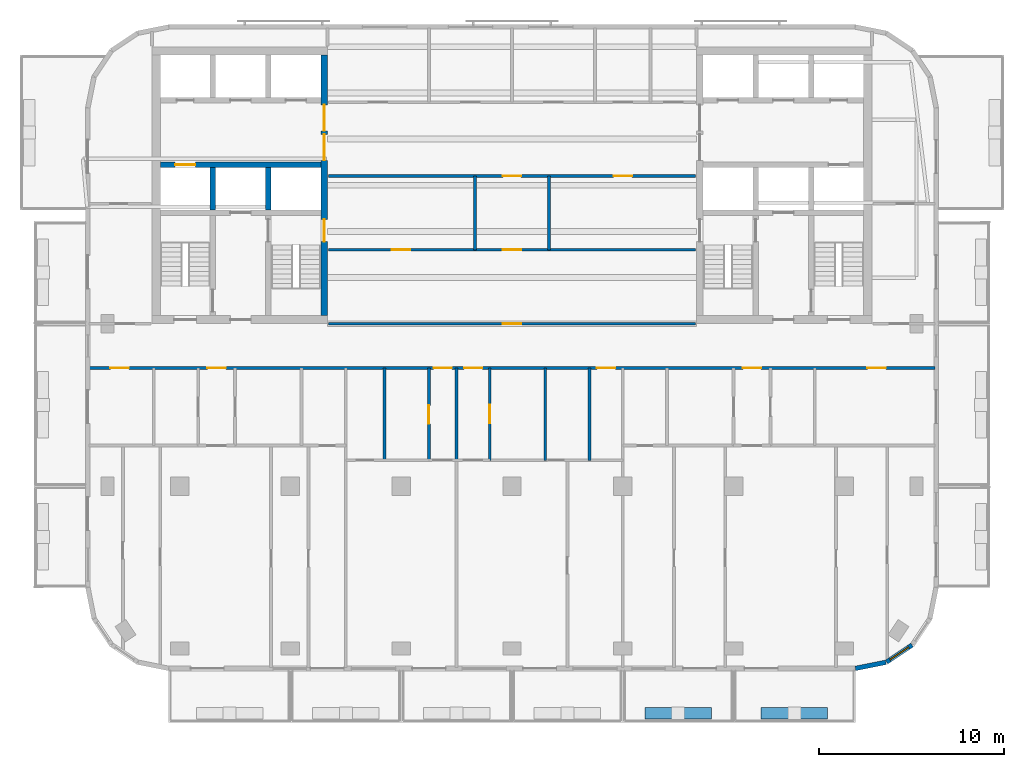
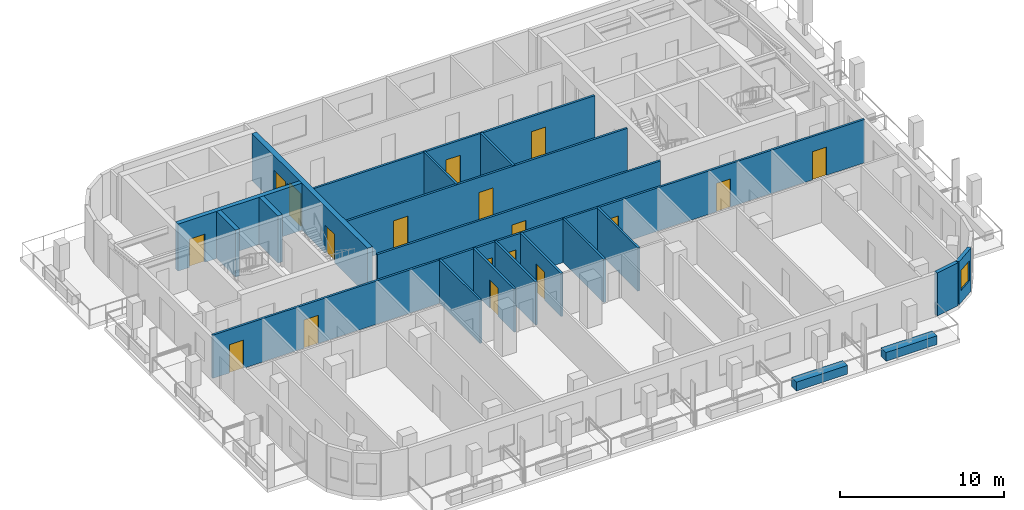
# One storey, part 4 of 11: 20 walls, 18 doors, 1 window, 19 openings.
"""IFC4 building model written with IfcOpenShell, lengths in metres."""

from ifc_helpers import new_model, si_unit, direction, frame, frame_2d, origin, place, context, subcontext, project, spatial, rectangle, extrude, material, layer, layer_set, type_object, element, fill, save


model = new_model("IFC4")

# Units and contexts
model_context = context("Model", 3, precision=1e-05, world=origin(), true_north=direction((0.0, 1.0)))
body_context = subcontext(model_context, "Body", "Model", "MODEL_VIEW")
ifc_project = project(units=[si_unit("LENGTHUNIT", "METRE"), si_unit("AREAUNIT", "SQUARE_METRE"), si_unit("VOLUMEUNIT", "CUBIC_METRE"), si_unit("PLANEANGLEUNIT", "RADIAN"), si_unit("MASSUNIT", "GRAM", prefix="KILO")], contexts=[model_context])

# Site, building, storey
site_placement = place(None, origin())
site = spatial("IfcSite", under=ifc_project, at=site_placement, CompositionType="ELEMENT")
building_placement = place(site_placement, origin())
building = spatial("IfcBuilding", under=site, at=building_placement, Name="Torana Hotel and Residences", CompositionType="ELEMENT")
storey_placement = place(building_placement, frame((0.0, 0.0, 305.10009765625)))
storey = spatial("IfcBuildingStorey", under=building, at=storey_placement, Name="L81", CompositionType="ELEMENT", Elevation=305.10009765625)

# Wall, opening, door
ifc_material_1 = material(Name="Concrete C60/75", Category="concrete")
ifc_layer_1 = layer(ifc_material_1, 0.300048828125)
ifc_layer_set_1 = layer_set([ifc_layer_1], Name="CORE WALL 300 C60/75")
wall_type_1 = type_object("IfcWallType", Name="CORE WALL 300 C60/75", PredefinedType="SHEAR", material=ifc_layer_set_1)
wall_1_placement = place(storey_placement, frame((-19.050048828125, -6.39990234375, 0.0), z_axis=(0.0, 0.0, 1.0), x_axis=(1.0, 0.0, 0.0)))
wall_1 = element("IfcWall", 1, at=wall_1_placement, inside=storey, type_object=wall_type_1, Name="Core wall W row-S", PredefinedType="SHEAR", context=body_context, shape_type="SweptSolid", body=[
    extrude(rectangle(XDim=8.699951171875, YDim=0.300048828125, at=frame_2d((4.35009765625, 0.0))), origin(), (0.0, 0.0, 1.0), 3.5),
])
opening_1_placement = place(wall_1_placement, frame((0.800048828125, 0.0, 0.0)))
opening_1 = element("IfcOpeningElement", 2, at=opening_1_placement, cuts=wall_1, Name="Opening LD", PredefinedType="OPENING", context=body_context, shape_type="SweptSolid", body=[
    extrude(rectangle(XDim=1.10009765625, YDim=2.10009765625, at=frame_2d((0.550048828125, 1.050048828125))), frame((0.0, 0.159912109375, 0.0), z_axis=(0.0, -1.0, 0.0), x_axis=(1.0, 0.0, 0.0)), (0.0, 0.0, 1.0), 0.320068359375),
])
ifc_material_2 = material(Name="Stainless steel 316", Category="steel")
door_type_1 = type_object("IfcDoorType", Name="LIFT LANDING DOOR LD 1100x2100", OperationType="DOUBLE_DOOR_SLIDING", PredefinedType="USERDEFINED", material=ifc_material_2)
door_1_placement = place(opening_1_placement, origin())
door_1 = element("IfcDoor", 3, at=door_1_placement, inside=storey, type_object=door_type_1, Name="Lift landing door SV1 L81", ObjectType="LIFT LANDING DOOR", OperationType="DOUBLE_DOOR_SLIDING", OverallHeight=2.10009765625, OverallWidth=1.10009765625, PredefinedType="USERDEFINED", context=body_context, shape_type="SweptSolid", body=[
    extrude(rectangle(XDim=1.10009765625, YDim=2.10009765625, at=frame_2d((0.550048828125, 1.050048828125))), frame((0.0, 0.02490234375, 0.0), z_axis=(0.0, -1.0, 0.0), x_axis=(1.0, 0.0, 0.0)), (0.0, 0.0, 1.0), 0.050048828125),
])
fill(opening_1, door_1)

# Walls
for number, where, z_axis, x_axis, name in (
    (4, (-13.199951171875, -8.85009765625, 0.0), (0.0, 0.0, 1.0), (0.0, 1.0, 0.0), "Core wall W x3.05-S"),
    (5, (-16.199951171875, -8.85009765625, 0.0), (0.0, 0.0, 1.0), (0.0, 1.0, 0.0), "Core wall W x6.05-S"),
):
    element("IfcWall", number, at=place(storey_placement, frame(where, z_axis=z_axis, x_axis=x_axis)), inside=storey, type_object=wall_type_1, Name=name, PredefinedType="SHEAR", context=body_context, shape_type="SweptSolid", body=[
        extrude(rectangle(XDim=2.300048828125, YDim=0.300048828125, at=frame_2d((1.14990234375, 0.0))), origin(), (0.0, 0.0, 1.0), 3.5),
    ])

# Wall, openings, doors
ifc_material_3 = material(Name="Concrete C60/75", Category="concrete")
ifc_layer_2 = layer(ifc_material_3, 0.35009765625)
ifc_layer_set_2 = layer_set([ifc_layer_2], Name="CORE WALL 350 C60/75")
wall_type_2 = type_object("IfcWallType", Name="CORE WALL 350 C60/75", PredefinedType="SHEAR", material=ifc_layer_set_2)
wall_2_placement = place(storey_placement, frame((-10.175048828125, -14.550048828125, 0.0), z_axis=(0.0, 0.0, 1.0), x_axis=(0.0, 1.0, 0.0)))
wall_2 = element("IfcWall", 6, at=wall_2_placement, inside=storey, type_object=wall_type_2, Name="Core wall W arch", PredefinedType="SHEAR", context=body_context, shape_type="SweptSolid", body=[
    extrude(rectangle(XDim=14.10009765625, YDim=0.35009765625, at=frame_2d((7.050048828125, 0.0))), origin(), (0.0, 0.0, 1.0), 3.5),
])
opening_2_placement = place(wall_2_placement, frame((8.39990234375, 0.0, 0.0)))
opening_2 = element("IfcOpeningElement", 7, at=opening_2_placement, cuts=wall_2, Name="Opening L81-01", PredefinedType="OPENING", context=body_context, shape_type="SweptSolid", body=[
    extrude(rectangle(XDim=1.39990234375, YDim=2.39990234375, at=frame_2d((0.699951171875, 1.199951171875))), frame((0.0, 0.18505859375, 0.0), z_axis=(0.0, -1.0, 0.0), x_axis=(1.0, 0.0, 0.0)), (0.0, 0.0, 1.0), 0.3701171875),
])
opening_3_placement = place(wall_2_placement, frame((10.0, 0.0, 0.0)))
opening_3 = element("IfcOpeningElement", 8, at=opening_3_placement, cuts=wall_2, Name="Opening L81-02", PredefinedType="OPENING", context=body_context, shape_type="SweptSolid", body=[
    extrude(rectangle(XDim=1.39990234375, YDim=2.39990234375, at=frame_2d((0.699951171875, 1.199951171875))), frame((0.0, 0.18505859375, 0.0), z_axis=(0.0, -1.0, 0.0), x_axis=(1.0, 0.0, 0.0)), (0.0, 0.0, 1.0), 0.3701171875),
])
opening_4_placement = place(wall_2_placement, frame((4.0, 0.0, 0.0)))
opening_4 = element("IfcOpeningElement", 9, at=opening_4_placement, cuts=wall_2, Name="Opening L81-03", PredefinedType="OPENING", context=body_context, shape_type="SweptSolid", body=[
    extrude(rectangle(XDim=1.199951171875, YDim=2.10009765625, at=frame_2d((0.60009765625, 1.050048828125))), frame((0.0, 0.18505859375, 0.0), z_axis=(0.0, -1.0, 0.0), x_axis=(1.0, 0.0, 0.0)), (0.0, 0.0, 1.0), 0.3701171875),
])
ifc_material_4 = material(Name="Steel S235", Category="steel")
door_type_2 = type_object("IfcDoorType", Name="LOBBY FIRE DOOR D4 1400x2400", OperationType="DOUBLE_DOOR_SINGLE_SWING", PredefinedType="DOOR", material=ifc_material_4)
door_2_placement = place(opening_2_placement, origin())
door_2 = element("IfcDoor", 10, at=door_2_placement, inside=storey, type_object=door_type_2, Name="Lobby-1 door L81", OperationType="DOUBLE_DOOR_SINGLE_SWING", OverallHeight=2.39990234375, OverallWidth=1.39990234375, PredefinedType="DOOR", context=body_context, shape_type="SweptSolid", body=[
    extrude(rectangle(XDim=1.39990234375, YDim=2.39990234375, at=frame_2d((0.699951171875, 1.199951171875))), frame((0.0, 0.02490234375, 0.0), z_axis=(0.0, -1.0, 0.0), x_axis=(1.0, 0.0, 0.0)), (0.0, 0.0, 1.0), 0.050048828125),
])
fill(opening_2, door_2)
door_3_placement = place(opening_3_placement, origin())
door_3 = element("IfcDoor", 11, at=door_3_placement, inside=storey, type_object=door_type_2, Name="Lobby-2 door L81", OperationType="DOUBLE_DOOR_SINGLE_SWING", OverallHeight=2.39990234375, OverallWidth=1.39990234375, PredefinedType="DOOR", context=body_context, shape_type="SweptSolid", body=[
    extrude(rectangle(XDim=1.39990234375, YDim=2.39990234375, at=frame_2d((0.699951171875, 1.199951171875))), frame((0.0, 0.02490234375, 0.0), z_axis=(0.0, -1.0, 0.0), x_axis=(1.0, 0.0, 0.0)), (0.0, 0.0, 1.0), 0.050048828125),
])
fill(opening_3, door_3)
ifc_material_5 = material(Name="Steel S235", Category="steel")
door_type_3 = type_object("IfcDoorType", Name="STAIR FIRE DOOR D3 1200x2100", OperationType="SINGLE_SWING_LEFT", PredefinedType="DOOR", material=ifc_material_5)
door_4_placement = place(opening_4_placement, origin())
door_4 = element("IfcDoor", 12, at=door_4_placement, inside=storey, type_object=door_type_3, Name="Stair-A door L81", OperationType="SINGLE_SWING_LEFT", OverallHeight=2.10009765625, OverallWidth=1.199951171875, PredefinedType="DOOR", context=body_context, shape_type="SweptSolid", body=[
    extrude(rectangle(XDim=1.199951171875, YDim=2.10009765625, at=frame_2d((0.60009765625, 1.050048828125))), frame((0.0, 0.02490234375, 0.0), z_axis=(0.0, -1.0, 0.0), x_axis=(1.0, 0.0, 0.0)), (0.0, 0.0, 1.0), 0.050048828125),
])
fill(opening_4, door_4)

# Wall
ifc_material_6 = material(Name="Black aluminium composite panel", Category="aluminium")
ifc_layer_3 = layer(ifc_material_6, 0.00390625, Name="Cladding", Category="cladding")
ifc_material_7 = material(Name="Ventilated air cavity")
ifc_layer_4 = layer(ifc_material_7, 0.0400390625, Name="Ventilated cavity", Category="cavity")
ifc_material_8 = material(Name="Mineral wool insulation")
ifc_layer_5 = layer(ifc_material_8, 0.090087890625, Name="Insulation", Category="insulation")
ifc_material_9 = material(Name="Steel S280GD", Category="steel")
ifc_layer_6 = layer(ifc_material_9, 0.092041015625, Name="Steel stud frame", Category="structure")
ifc_material_10 = material(Name="Fire rated plasterboard")
ifc_layer_7 = layer(ifc_material_10, 0.011962890625, Name="Inner board", Category="finish")
ifc_layer_8 = layer(ifc_material_10, 0.011962890625, Name="Second board", Category="finish")
ifc_layer_set_3 = layer_set([ifc_layer_3, ifc_layer_4, ifc_layer_5, ifc_layer_6, ifc_layer_7, ifc_layer_8], Name="EW1 EXTERNAL WALL BLACK METAL CLAD 250")
wall_type_3 = type_object("IfcWallType", Name="EW1 EXTERNAL WALL BLACK METAL CLAD 250", PredefinedType="SOLIDWALL", material=ifc_layer_set_3)
wall_3_placement = place(storey_placement, frame((18.599853515625, -33.672607421875, 0.0), z_axis=(0.0, 0.0, 1.0), x_axis=(0.980770110232, 0.195166572128, 0.0)))
element("IfcWall", 13, at=wall_3_placement, inside=storey, type_object=wall_type_3, Name="External wall L81 e0.15", PredefinedType="SOLIDWALL", context=body_context, shape_type="SweptSolid", body=[
    extrude(rectangle(XDim=1.68115234375, YDim=0.25, at=frame_2d((0.840576171875, 0.0))), origin(), (0.0, 0.0, 1.0), 3.199951171875),
])

# Wall, opening, window
wall_4_placement = place(storey_placement, frame((20.2939453125, -33.325927734375, 0.0), z_axis=(0.0, 0.0, 1.0), x_axis=(0.831482937015, 0.55555029066, 0.0)))
wall_4 = element("IfcWall", 14, at=wall_4_placement, inside=storey, type_object=wall_type_3, Name="External wall L81 e0.16", PredefinedType="SOLIDWALL", context=body_context, shape_type="SweptSolid", body=[
    extrude(rectangle(XDim=1.65625, YDim=0.25, at=frame_2d((0.828125, 0.0))), origin(), (0.0, 0.0, 1.0), 3.199951171875),
])
opening_5_placement = place(wall_4_placement, frame((0.228271484375, 0.0, 0.89990234375)))
opening_5 = element("IfcOpeningElement", 15, at=opening_5_placement, cuts=wall_4, Name="Opening W5", PredefinedType="OPENING", context=body_context, shape_type="SweptSolid", body=[
    extrude(rectangle(XDim=1.199951171875, YDim=1.5, at=frame_2d((0.60009765625, 0.75))), frame((0.0, 0.135009765625, 0.0), z_axis=(0.0, -1.0, 0.0), x_axis=(1.0, 0.0, 0.0)), (0.0, 0.0, 1.0), 0.27001953125),
])
ifc_material_11 = material(Name="Dark glass in black aluminium frame", Category="aluminium")
window_type = type_object("IfcWindowType", Name="W5 CORNER FACET WINDOW 1200x1500", PartitioningType="SINGLE_PANEL", PredefinedType="WINDOW", material=ifc_material_11)
window_placement = place(opening_5_placement, origin())
window = element("IfcWindow", 16, at=window_placement, inside=storey, type_object=window_type, Name="Window L81 e0.16", OverallHeight=1.5, OverallWidth=1.199951171875, PartitioningType="SINGLE_PANEL", PredefinedType="WINDOW", context=body_context, shape_type="SweptSolid", body=[
    extrude(rectangle(XDim=1.199951171875, YDim=1.5, at=frame_2d((0.60009765625, 0.75))), frame((0.0, 0.030029296875, 0.0), z_axis=(0.0, -1.0, 0.0), x_axis=(1.0, 0.0, 0.0)), (0.0, 0.0, 1.0), 0.06005859375),
])
fill(opening_5, window)

# Wall
ifc_material_12 = material(Name="Gypsum plaster")
ifc_layer_9 = layer(ifc_material_12, 0.014892578125, Name="Plaster", Category="finish")
ifc_material_13 = material(Name="Concrete blockwork", Category="masonry")
ifc_layer_10 = layer(ifc_material_13, 0.1201171875, Name="Blockwork", Category="structure")
ifc_layer_11 = layer(ifc_material_12, 0.014892578125, Name="Plaster", Category="finish")
ifc_layer_set_4 = layer_set([ifc_layer_9, ifc_layer_10, ifc_layer_11], Name="FIRE PARTITION 150 BLOCKWORK")
wall_type_4 = type_object("IfcWallType", Name="FIRE PARTITION 150 BLOCKWORK", PredefinedType="PARTITIONING", material=ifc_layer_set_4)
wall_5_placement = place(storey_placement, frame((2.0, -11.0, 0.0), z_axis=(0.0, 0.0, 1.0), x_axis=(0.0, 1.0, 0.0)))
element("IfcWall", 17, at=wall_5_placement, inside=storey, type_object=wall_type_4, Name="Partition L81", PredefinedType="PARTITIONING", context=body_context, shape_type="SweptSolid", body=[
    extrude(rectangle(XDim=4.0, YDim=0.14990234375, at=frame_2d((2.0, 0.0))), origin(), (0.0, 0.0, 1.0), 3.219970703125),
])

# Wall, opening, door
wall_6_placement = place(storey_placement, frame((-1.199951171875, -22.39990234375, 0.0), z_axis=(0.0, 0.0, 1.0), x_axis=(0.0, 1.0, 0.0)))
wall_6 = element("IfcWall", 18, at=wall_6_placement, inside=storey, type_object=wall_type_4, Name="Partition L81", PredefinedType="PARTITIONING", context=body_context, shape_type="SweptSolid", body=[
    extrude(rectangle(XDim=5.0, YDim=0.14990234375, at=frame_2d((2.5, 0.0))), origin(), (0.0, 0.0, 1.0), 3.219970703125),
])
opening_6_placement = place(wall_6_placement, frame((2.02001953125, 0.0, 0.0)))
opening_6 = element("IfcOpeningElement", 19, at=opening_6_placement, cuts=wall_6, Name="Opening L81-39", PredefinedType="OPENING", context=body_context, shape_type="SweptSolid", body=[
    extrude(rectangle(XDim=1.0, YDim=2.10009765625, at=frame_2d((0.5, 1.050048828125))), frame((0.0, 0.0849609375, 0.0), z_axis=(0.0, -1.0, 0.0), x_axis=(1.0, 0.0, 0.0)), (0.0, 0.0, 1.0), 0.169921875),
])
ifc_material_14 = material(Name="Steel S235", Category="steel")
door_type_4 = type_object("IfcDoorType", Name="ENTRY FIRE DOOR D6 1000x2100", OperationType="SINGLE_SWING_LEFT", PredefinedType="DOOR", material=ifc_material_14)
door_5_placement = place(opening_6_placement, frame((0.5, 0.0, 0.0), z_axis=(0.0, 0.0, 1.0), x_axis=(-1.0, 0.0, 0.0)))
door_5 = element("IfcDoor", 20, at=door_5_placement, inside=storey, type_object=door_type_4, Name="Door L81", OperationType="SINGLE_SWING_LEFT", OverallHeight=2.10009765625, OverallWidth=1.0, PredefinedType="DOOR", context=body_context, shape_type="SweptSolid", body=[
    extrude(rectangle(XDim=1.0, YDim=2.10009765625, at=frame_2d((0.0, 1.050048828125))), frame((0.0, -0.02490234375, 0.0), z_axis=(0.0, 1.0, 0.0), x_axis=(-1.0, 0.0, 0.0)), (0.0, 0.0, 1.0), 0.050048828125),
])
fill(opening_6, door_5)

# Walls
wall_7_placement = place(storey_placement, frame((-2.0, -11.0, 0.0), z_axis=(0.0, 0.0, 1.0), x_axis=(0.0, 1.0, 0.0)))
element("IfcWall", 21, at=wall_7_placement, inside=storey, type_object=wall_type_4, Name="Partition L81", PredefinedType="PARTITIONING", context=body_context, shape_type="SweptSolid", body=[
    extrude(rectangle(XDim=4.0, YDim=0.14990234375, at=frame_2d((2.0, 0.0))), origin(), (0.0, 0.0, 1.0), 3.219970703125),
])
wall_8_placement = place(storey_placement, frame((-3.0, -22.39990234375, 0.0), z_axis=(0.0, 0.0, 1.0), x_axis=(0.0, 1.0, 0.0)))
element("IfcWall", 22, at=wall_8_placement, inside=storey, type_object=wall_type_4, Name="Partition L81", PredefinedType="PARTITIONING", context=body_context, shape_type="SweptSolid", body=[
    extrude(rectangle(XDim=5.0, YDim=0.14990234375, at=frame_2d((2.5, 0.0))), origin(), (0.0, 0.0, 1.0), 3.219970703125),
])

# Wall, opening, door
wall_9_placement = place(storey_placement, frame((-4.5, -22.39990234375, 0.0), z_axis=(0.0, 0.0, 1.0), x_axis=(0.0, 1.0, 0.0)))
wall_9 = element("IfcWall", 23, at=wall_9_placement, inside=storey, type_object=wall_type_4, Name="Partition L81", PredefinedType="PARTITIONING", context=body_context, shape_type="SweptSolid", body=[
    extrude(rectangle(XDim=5.0, YDim=0.14990234375, at=frame_2d((2.5, 0.0))), origin(), (0.0, 0.0, 1.0), 3.219970703125),
])
opening_7_placement = place(wall_9_placement, frame((1.97998046875, 0.0, 0.0)))
opening_7 = element("IfcOpeningElement", 24, at=opening_7_placement, cuts=wall_9, Name="Opening L81-37", PredefinedType="OPENING", context=body_context, shape_type="SweptSolid", body=[
    extrude(rectangle(XDim=1.0, YDim=2.10009765625, at=frame_2d((0.5, 1.050048828125))), frame((0.0, 0.0849609375, 0.0), z_axis=(0.0, -1.0, 0.0), x_axis=(1.0, 0.0, 0.0)), (0.0, 0.0, 1.0), 0.169921875),
])
door_6_placement = place(opening_7_placement, origin())
door_6 = element("IfcDoor", 25, at=door_6_placement, inside=storey, type_object=door_type_4, Name="Door L81", OperationType="SINGLE_SWING_RIGHT", OverallHeight=2.10009765625, OverallWidth=1.0, PredefinedType="DOOR", context=body_context, shape_type="SweptSolid", body=[
    extrude(rectangle(XDim=1.0, YDim=2.10009765625, at=frame_2d((0.5, 1.050048828125))), frame((0.0, 0.02490234375, 0.0), z_axis=(0.0, -1.0, 0.0), x_axis=(1.0, 0.0, 0.0)), (0.0, 0.0, 1.0), 0.050048828125),
])
fill(opening_7, door_6)

# Wall, openings, doors
wall_10_placement = place(storey_placement, frame((-22.919921875, -17.39990234375, 0.0), z_axis=(0.0, 0.0, 1.0), x_axis=(1.0, 0.0, 0.0)))
wall_10 = element("IfcWall", 26, at=wall_10_placement, inside=storey, type_object=wall_type_4, Name="Partition L81", PredefinedType="PARTITIONING", context=body_context, shape_type="SweptSolid", body=[
    extrude(rectangle(XDim=45.83984375, YDim=0.14990234375, at=frame_2d((22.919921875, 0.0))), origin(), (0.0, 0.0, 1.0), 3.219970703125),
])
opening_8_placement = place(wall_10_placement, frame((18.669921875, 0.0, 0.0)))
opening_8 = element("IfcOpeningElement", 27, at=opening_8_placement, cuts=wall_10, Name="Opening L81-18", PredefinedType="OPENING", context=body_context, shape_type="SweptSolid", body=[
    extrude(rectangle(XDim=1.0, YDim=2.10009765625, at=frame_2d((0.5, 1.050048828125))), frame((0.0, 0.0849609375, 0.0), z_axis=(0.0, -1.0, 0.0), x_axis=(1.0, 0.0, 0.0)), (0.0, 0.0, 1.0), 0.169921875),
])
opening_9_placement = place(wall_10_placement, frame((20.320068359375, 0.0, 0.0)))
opening_9 = element("IfcOpeningElement", 28, at=opening_9_placement, cuts=wall_10, Name="Opening L81-19", PredefinedType="OPENING", context=body_context, shape_type="SweptSolid", body=[
    extrude(rectangle(XDim=1.0, YDim=2.10009765625, at=frame_2d((0.5, 1.050048828125))), frame((0.0, 0.0849609375, 0.0), z_axis=(0.0, -1.0, 0.0), x_axis=(1.0, 0.0, 0.0)), (0.0, 0.0, 1.0), 0.169921875),
])
opening_10_placement = place(wall_10_placement, frame((27.52001953125, 0.0, 0.0)))
opening_10 = element("IfcOpeningElement", 29, at=opening_10_placement, cuts=wall_10, Name="Opening L81-20", PredefinedType="OPENING", context=body_context, shape_type="SweptSolid", body=[
    extrude(rectangle(XDim=1.0, YDim=2.10009765625, at=frame_2d((0.5, 1.050048828125))), frame((0.0, 0.0849609375, 0.0), z_axis=(0.0, -1.0, 0.0), x_axis=(1.0, 0.0, 0.0)), (0.0, 0.0, 1.0), 0.169921875),
])
opening_11_placement = place(wall_10_placement, frame((6.419921875, 0.0, 0.0)))
opening_11 = element("IfcOpeningElement", 30, at=opening_11_placement, cuts=wall_10, Name="Opening L81-21", PredefinedType="OPENING", context=body_context, shape_type="SweptSolid", body=[
    extrude(rectangle(XDim=1.0, YDim=2.10009765625, at=frame_2d((0.5, 1.050048828125))), frame((0.0, 0.0849609375, 0.0), z_axis=(0.0, -1.0, 0.0), x_axis=(1.0, 0.0, 0.0)), (0.0, 0.0, 1.0), 0.169921875),
])
opening_12_placement = place(wall_10_placement, frame((1.169921875, 0.0, 0.0)))
opening_12 = element("IfcOpeningElement", 31, at=opening_12_placement, cuts=wall_10, Name="Opening L81-22", PredefinedType="OPENING", context=body_context, shape_type="SweptSolid", body=[
    extrude(rectangle(XDim=1.0, YDim=2.10009765625, at=frame_2d((0.5, 1.050048828125))), frame((0.0, 0.0849609375, 0.0), z_axis=(0.0, -1.0, 0.0), x_axis=(1.0, 0.0, 0.0)), (0.0, 0.0, 1.0), 0.169921875),
])
opening_13_placement = place(wall_10_placement, frame((35.419921875, 0.0, 0.0)))
opening_13 = element("IfcOpeningElement", 32, at=opening_13_placement, cuts=wall_10, Name="Opening L81-23", PredefinedType="OPENING", context=body_context, shape_type="SweptSolid", body=[
    extrude(rectangle(XDim=1.0, YDim=2.10009765625, at=frame_2d((0.5, 1.050048828125))), frame((0.0, 0.0849609375, 0.0), z_axis=(0.0, -1.0, 0.0), x_axis=(1.0, 0.0, 0.0)), (0.0, 0.0, 1.0), 0.169921875),
])
opening_14_placement = place(wall_10_placement, frame((42.169921875, 0.0, 0.0)))
opening_14 = element("IfcOpeningElement", 33, at=opening_14_placement, cuts=wall_10, Name="Opening L81-24", PredefinedType="OPENING", context=body_context, shape_type="SweptSolid", body=[
    extrude(rectangle(XDim=1.0, YDim=2.10009765625, at=frame_2d((0.5, 1.050048828125))), frame((0.0, 0.0849609375, 0.0), z_axis=(0.0, -1.0, 0.0), x_axis=(1.0, 0.0, 0.0)), (0.0, 0.0, 1.0), 0.169921875),
])
door_7_placement = place(opening_8_placement, origin())
door_7 = element("IfcDoor", 34, at=door_7_placement, inside=storey, type_object=door_type_4, Name="Door L81", OperationType="SINGLE_SWING_RIGHT", OverallHeight=2.10009765625, OverallWidth=1.0, PredefinedType="DOOR", context=body_context, shape_type="SweptSolid", body=[
    extrude(rectangle(XDim=1.0, YDim=2.10009765625, at=frame_2d((0.5, 1.050048828125))), frame((0.0, 0.02490234375, 0.0), z_axis=(0.0, -1.0, 0.0), x_axis=(1.0, 0.0, 0.0)), (0.0, 0.0, 1.0), 0.050048828125),
])
fill(opening_8, door_7)
door_8_placement = place(opening_9_placement, origin())
door_8 = element("IfcDoor", 35, at=door_8_placement, inside=storey, type_object=door_type_4, Name="Door L81", OperationType="SINGLE_SWING_RIGHT", OverallHeight=2.10009765625, OverallWidth=1.0, PredefinedType="DOOR", context=body_context, shape_type="SweptSolid", body=[
    extrude(rectangle(XDim=1.0, YDim=2.10009765625, at=frame_2d((0.5, 1.050048828125))), frame((0.0, 0.02490234375, 0.0), z_axis=(0.0, -1.0, 0.0), x_axis=(1.0, 0.0, 0.0)), (0.0, 0.0, 1.0), 0.050048828125),
])
fill(opening_9, door_8)
door_9_placement = place(opening_10_placement, frame((0.5, 0.0, 0.0), z_axis=(0.0, 0.0, 1.0), x_axis=(-1.0, 0.0, 0.0)))
door_9 = element("IfcDoor", 36, at=door_9_placement, inside=storey, type_object=door_type_4, Name="Door L81", OperationType="SINGLE_SWING_LEFT", OverallHeight=2.10009765625, OverallWidth=1.0, PredefinedType="DOOR", context=body_context, shape_type="SweptSolid", body=[
    extrude(rectangle(XDim=1.0, YDim=2.10009765625, at=frame_2d((0.0, 1.050048828125))), frame((0.0, -0.02490234375, 0.0), z_axis=(0.0, 1.0, 0.0), x_axis=(-1.0, 0.0, 0.0)), (0.0, 0.0, 1.0), 0.050048828125),
])
fill(opening_10, door_9)
door_10_placement = place(opening_11_placement, origin())
door_10 = element("IfcDoor", 37, at=door_10_placement, inside=storey, type_object=door_type_4, Name="Door L81", OperationType="SINGLE_SWING_RIGHT", OverallHeight=2.10009765625, OverallWidth=1.0, PredefinedType="DOOR", context=body_context, shape_type="SweptSolid", body=[
    extrude(rectangle(XDim=1.0, YDim=2.10009765625, at=frame_2d((0.5, 1.050048828125))), frame((0.0, 0.02490234375, 0.0), z_axis=(0.0, -1.0, 0.0), x_axis=(1.0, 0.0, 0.0)), (0.0, 0.0, 1.0), 0.050048828125),
])
fill(opening_11, door_10)
door_11_placement = place(opening_12_placement, frame((0.5, 0.0, 0.0), z_axis=(0.0, 0.0, 1.0), x_axis=(-1.0, 0.0, 0.0)))
door_11 = element("IfcDoor", 38, at=door_11_placement, inside=storey, type_object=door_type_4, Name="Door L81", OperationType="SINGLE_SWING_LEFT", OverallHeight=2.10009765625, OverallWidth=1.0, PredefinedType="DOOR", context=body_context, shape_type="SweptSolid", body=[
    extrude(rectangle(XDim=1.0, YDim=2.10009765625, at=frame_2d((0.0, 1.050048828125))), frame((0.0, -0.02490234375, 0.0), z_axis=(0.0, 1.0, 0.0), x_axis=(-1.0, 0.0, 0.0)), (0.0, 0.0, 1.0), 0.050048828125),
])
fill(opening_12, door_11)
door_12_placement = place(opening_13_placement, origin())
door_12 = element("IfcDoor", 39, at=door_12_placement, inside=storey, type_object=door_type_4, Name="Door L81", OperationType="SINGLE_SWING_RIGHT", OverallHeight=2.10009765625, OverallWidth=1.0, PredefinedType="DOOR", context=body_context, shape_type="SweptSolid", body=[
    extrude(rectangle(XDim=1.0, YDim=2.10009765625, at=frame_2d((0.5, 1.050048828125))), frame((0.0, 0.02490234375, 0.0), z_axis=(0.0, -1.0, 0.0), x_axis=(1.0, 0.0, 0.0)), (0.0, 0.0, 1.0), 0.050048828125),
])
fill(opening_13, door_12)
door_13_placement = place(opening_14_placement, frame((0.5, 0.0, 0.0), z_axis=(0.0, 0.0, 1.0), x_axis=(-1.0, 0.0, 0.0)))
door_13 = element("IfcDoor", 40, at=door_13_placement, inside=storey, type_object=door_type_4, Name="Door L81", OperationType="SINGLE_SWING_LEFT", OverallHeight=2.10009765625, OverallWidth=1.0, PredefinedType="DOOR", context=body_context, shape_type="SweptSolid", body=[
    extrude(rectangle(XDim=1.0, YDim=2.10009765625, at=frame_2d((0.0, 1.050048828125))), frame((0.0, -0.02490234375, 0.0), z_axis=(0.0, 1.0, 0.0), x_axis=(-1.0, 0.0, 0.0)), (0.0, 0.0, 1.0), 0.050048828125),
])
fill(opening_14, door_13)

# Wall, opening, door
wall_11_placement = place(storey_placement, frame((-9.949951171875, -15.0, 0.0), z_axis=(0.0, 0.0, 1.0), x_axis=(1.0, 0.0, 0.0)))
wall_11 = element("IfcWall", 41, at=wall_11_placement, inside=storey, type_object=wall_type_4, Name="Partition L81", PredefinedType="PARTITIONING", context=body_context, shape_type="SweptSolid", body=[
    extrude(rectangle(XDim=19.89990234375, YDim=0.14990234375, at=frame_2d((9.949951171875, 0.0))), origin(), (0.0, 0.0, 1.0), 3.219970703125),
])
opening_15_placement = place(wall_11_placement, frame((9.449951171875, 0.0, 0.0)))
opening_15 = element("IfcOpeningElement", 42, at=opening_15_placement, cuts=wall_11, Name="Opening L81-17", PredefinedType="OPENING", context=body_context, shape_type="SweptSolid", body=[
    extrude(rectangle(XDim=1.0, YDim=2.10009765625, at=frame_2d((0.5, 1.050048828125))), frame((0.0, 0.0849609375, 0.0), z_axis=(0.0, -1.0, 0.0), x_axis=(1.0, 0.0, 0.0)), (0.0, 0.0, 1.0), 0.169921875),
])
door_14_placement = place(opening_15_placement, origin())
door_14 = element("IfcDoor", 43, at=door_14_placement, inside=storey, type_object=door_type_4, Name="Door L81", OperationType="SINGLE_SWING_RIGHT", OverallHeight=2.10009765625, OverallWidth=1.0, PredefinedType="DOOR", context=body_context, shape_type="SweptSolid", body=[
    extrude(rectangle(XDim=1.0, YDim=2.10009765625, at=frame_2d((0.5, 1.050048828125))), frame((0.0, 0.02490234375, 0.0), z_axis=(0.0, -1.0, 0.0), x_axis=(1.0, 0.0, 0.0)), (0.0, 0.0, 1.0), 0.050048828125),
])
fill(opening_15, door_14)

# Wall, openings, doors
wall_12_placement = place(storey_placement, frame((-9.949951171875, -11.0, 0.0), z_axis=(0.0, 0.0, 1.0), x_axis=(1.0, 0.0, 0.0)))
wall_12 = element("IfcWall", 44, at=wall_12_placement, inside=storey, type_object=wall_type_4, Name="Partition L81", PredefinedType="PARTITIONING", context=body_context, shape_type="SweptSolid", body=[
    extrude(rectangle(XDim=19.89990234375, YDim=0.14990234375, at=frame_2d((9.949951171875, 0.0))), origin(), (0.0, 0.0, 1.0), 3.219970703125),
])
opening_16_placement = place(wall_12_placement, frame((9.449951171875, 0.0, 0.0)))
opening_16 = element("IfcOpeningElement", 45, at=opening_16_placement, cuts=wall_12, Name="Opening L81-27", PredefinedType="OPENING", context=body_context, shape_type="SweptSolid", body=[
    extrude(rectangle(XDim=1.0, YDim=2.10009765625, at=frame_2d((0.5, 1.050048828125))), frame((0.0, 0.0849609375, 0.0), z_axis=(0.0, -1.0, 0.0), x_axis=(1.0, 0.0, 0.0)), (0.0, 0.0, 1.0), 0.169921875),
])
opening_17_placement = place(wall_12_placement, frame((3.449951171875, 0.0, 0.0)))
opening_17 = element("IfcOpeningElement", 46, at=opening_17_placement, cuts=wall_12, Name="Opening L81-28", PredefinedType="OPENING", context=body_context, shape_type="SweptSolid", body=[
    extrude(rectangle(XDim=1.0, YDim=2.10009765625, at=frame_2d((0.5, 1.050048828125))), frame((0.0, 0.0849609375, 0.0), z_axis=(0.0, -1.0, 0.0), x_axis=(1.0, 0.0, 0.0)), (0.0, 0.0, 1.0), 0.169921875),
])
door_15_placement = place(opening_16_placement, origin())
door_15 = element("IfcDoor", 47, at=door_15_placement, inside=storey, type_object=door_type_4, Name="Door L81", OperationType="SINGLE_SWING_RIGHT", OverallHeight=2.10009765625, OverallWidth=1.0, PredefinedType="DOOR", context=body_context, shape_type="SweptSolid", body=[
    extrude(rectangle(XDim=1.0, YDim=2.10009765625, at=frame_2d((0.5, 1.050048828125))), frame((0.0, 0.02490234375, 0.0), z_axis=(0.0, -1.0, 0.0), x_axis=(1.0, 0.0, 0.0)), (0.0, 0.0, 1.0), 0.050048828125),
])
fill(opening_16, door_15)
door_16_placement = place(opening_17_placement, origin())
door_16 = element("IfcDoor", 48, at=door_16_placement, inside=storey, type_object=door_type_4, Name="Door L81", OperationType="SINGLE_SWING_RIGHT", OverallHeight=2.10009765625, OverallWidth=1.0, PredefinedType="DOOR", context=body_context, shape_type="SweptSolid", body=[
    extrude(rectangle(XDim=1.0, YDim=2.10009765625, at=frame_2d((0.5, 1.050048828125))), frame((0.0, 0.02490234375, 0.0), z_axis=(0.0, -1.0, 0.0), x_axis=(1.0, 0.0, 0.0)), (0.0, 0.0, 1.0), 0.050048828125),
])
fill(opening_17, door_16)

wall_13_placement = place(storey_placement, frame((-9.949951171875, -7.0, 0.0), z_axis=(0.0, 0.0, 1.0), x_axis=(1.0, 0.0, 0.0)))
wall_13 = element("IfcWall", 49, at=wall_13_placement, inside=storey, type_object=wall_type_4, Name="Partition L81", PredefinedType="PARTITIONING", context=body_context, shape_type="SweptSolid", body=[
    extrude(rectangle(XDim=19.89990234375, YDim=0.14990234375, at=frame_2d((9.949951171875, 0.0))), origin(), (0.0, 0.0, 1.0), 3.219970703125),
])
opening_18_placement = place(wall_13_placement, frame((9.449951171875, 0.0, 0.0)))
opening_18 = element("IfcOpeningElement", 50, at=opening_18_placement, cuts=wall_13, Name="Opening L81-29", PredefinedType="OPENING", context=body_context, shape_type="SweptSolid", body=[
    extrude(rectangle(XDim=1.0, YDim=2.10009765625, at=frame_2d((0.5, 1.050048828125))), frame((0.0, 0.0849609375, 0.0), z_axis=(0.0, -1.0, 0.0), x_axis=(1.0, 0.0, 0.0)), (0.0, 0.0, 1.0), 0.169921875),
])
opening_19_placement = place(wall_13_placement, frame((15.449951171875, 0.0, 0.0)))
opening_19 = element("IfcOpeningElement", 51, at=opening_19_placement, cuts=wall_13, Name="Opening L81-30", PredefinedType="OPENING", context=body_context, shape_type="SweptSolid", body=[
    extrude(rectangle(XDim=1.0, YDim=2.10009765625, at=frame_2d((0.5, 1.050048828125))), frame((0.0, 0.0849609375, 0.0), z_axis=(0.0, -1.0, 0.0), x_axis=(1.0, 0.0, 0.0)), (0.0, 0.0, 1.0), 0.169921875),
])
door_17_placement = place(opening_18_placement, origin())
door_17 = element("IfcDoor", 52, at=door_17_placement, inside=storey, type_object=door_type_4, Name="Door L81", OperationType="SINGLE_SWING_RIGHT", OverallHeight=2.10009765625, OverallWidth=1.0, PredefinedType="DOOR", context=body_context, shape_type="SweptSolid", body=[
    extrude(rectangle(XDim=1.0, YDim=2.10009765625, at=frame_2d((0.5, 1.050048828125))), frame((0.0, 0.02490234375, 0.0), z_axis=(0.0, -1.0, 0.0), x_axis=(1.0, 0.0, 0.0)), (0.0, 0.0, 1.0), 0.050048828125),
])
fill(opening_18, door_17)
door_18_placement = place(opening_19_placement, frame((0.5, 0.0, 0.0), z_axis=(0.0, 0.0, 1.0), x_axis=(-1.0, 0.0, 0.0)))
door_18 = element("IfcDoor", 53, at=door_18_placement, inside=storey, type_object=door_type_4, Name="Door L81", OperationType="SINGLE_SWING_LEFT", OverallHeight=2.10009765625, OverallWidth=1.0, PredefinedType="DOOR", context=body_context, shape_type="SweptSolid", body=[
    extrude(rectangle(XDim=1.0, YDim=2.10009765625, at=frame_2d((0.0, 1.050048828125))), frame((0.0, -0.02490234375, 0.0), z_axis=(0.0, 1.0, 0.0), x_axis=(-1.0, 0.0, 0.0)), (0.0, 0.0, 1.0), 0.050048828125),
])
fill(opening_19, door_18)

# Walls
ifc_material_15 = material(Name="Gypsum plasterboard")
ifc_layer_12 = layer(ifc_material_15, 0.012451171875, Name="Plasterboard", Category="finish")
ifc_layer_13 = layer(ifc_material_15, 0.012451171875, Name="Plasterboard", Category="finish")
ifc_layer_14 = layer(ifc_material_9, 0.10009765625, Name="Steel studs with mineral wool", Category="insulation")
ifc_layer_15 = layer(ifc_material_15, 0.012451171875, Name="Plasterboard", Category="finish")
ifc_layer_16 = layer(ifc_material_15, 0.012451171875, Name="Plasterboard", Category="finish")
ifc_layer_set_5 = layer_set([ifc_layer_12, ifc_layer_13, ifc_layer_14, ifc_layer_15, ifc_layer_16], Name="PARTITION 150 PLASTERBOARD")
wall_type_5 = type_object("IfcWallType", Name="PARTITION 150 PLASTERBOARD", PredefinedType="PARTITIONING", material=ifc_layer_set_5)
for number, where, z_axis, x_axis, name in (
    (54, (4.199951171875, -22.39990234375, 0.0), (0.0, 0.0, 1.0), (0.0, 1.0, 0.0), "Partition L81"),
    (55, (1.800048828125, -22.39990234375, 0.0), (0.0, 0.0, 1.0), (0.0, 1.0, 0.0), "Partition L81"),
    (56, (-6.89990234375, -22.39990234375, 0.0), (0.0, 0.0, 1.0), (0.0, 1.0, 0.0), "Partition L81"),
):
    element("IfcWall", number, at=place(storey_placement, frame(where, z_axis=z_axis, x_axis=x_axis)), inside=storey, type_object=wall_type_5, Name=name, PredefinedType="PARTITIONING", context=body_context, shape_type="SweptSolid", body=[
        extrude(rectangle(XDim=5.0, YDim=0.14990234375, at=frame_2d((2.5, 0.0))), origin(), (0.0, 0.0, 1.0), 3.219970703125),
    ])
ifc_material_16 = material(Name="Concrete C40/50 precast", Category="concrete")
ifc_layer_17 = layer(ifc_material_16, 0.10009765625, Name="Planter shell", Category="structure")
ifc_material_17 = material(Name="Root resistant membrane")
ifc_layer_18 = layer(ifc_material_17, 0.00390625, Name="Waterproofing membrane", Category="membrane")
ifc_material_18 = material(Name="Drainage board with filter fleece")
ifc_layer_19 = layer(ifc_material_18, 0.02001953125, Name="Drainage board", Category="drainage")
ifc_material_19 = material(Name="Growing medium")
ifc_layer_20 = layer(ifc_material_19, 0.47607421875, Name="Planting substrate", Category="soil")
ifc_layer_set_6 = layer_set([ifc_layer_17, ifc_layer_18, ifc_layer_19, ifc_layer_20], Name="PL1 BALCONY PLANTER 600")
wall_type_6 = type_object("IfcWallType", Name="PL1 BALCONY PLANTER 600", PredefinedType="USERDEFINED", material=ifc_layer_set_6)
for number, where, z_axis, x_axis, name in (
    (57, (10.800048828125, -36.10009765625, 0.0), (0.0, 0.0, 1.0), (-1.0, 0.0, 0.0), "Planter 05"),
    (58, (17.10009765625, -36.10009765625, 0.0), (0.0, 0.0, 1.0), (-1.0, 0.0, 0.0), "Planter 06"),
):
    element("IfcWall", number, at=place(storey_placement, frame(where, z_axis=z_axis, x_axis=x_axis)), inside=storey, type_object=wall_type_6, Name=name, ObjectType="PLANTER", PredefinedType="USERDEFINED", context=body_context, shape_type="SweptSolid", body=[
        extrude(rectangle(XDim=3.60009765625, YDim=0.60009765625, at=frame_2d((1.800048828125, 0.0))), origin(), (0.0, 0.0, 1.0), 0.64990234375),
    ])

save(model, "model.ifc")
